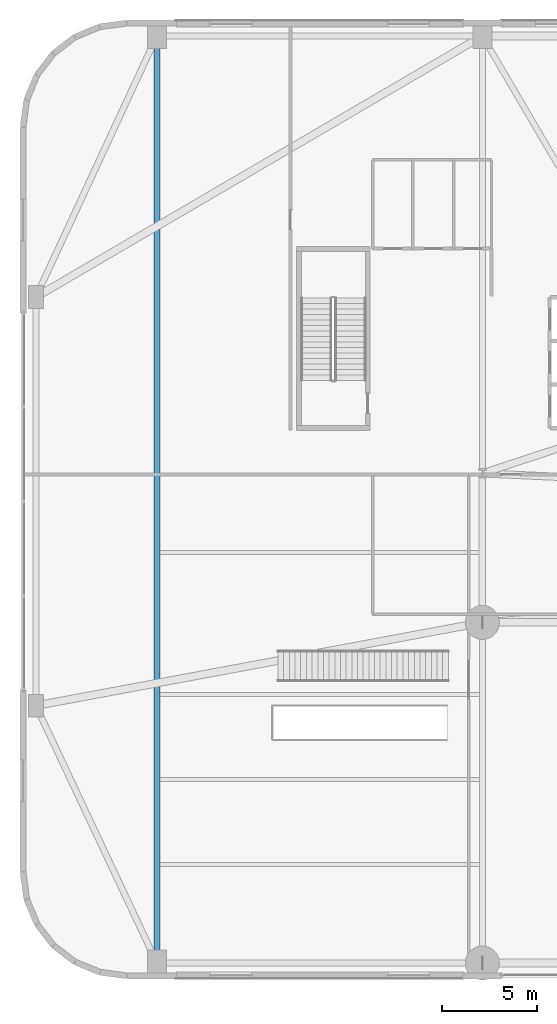
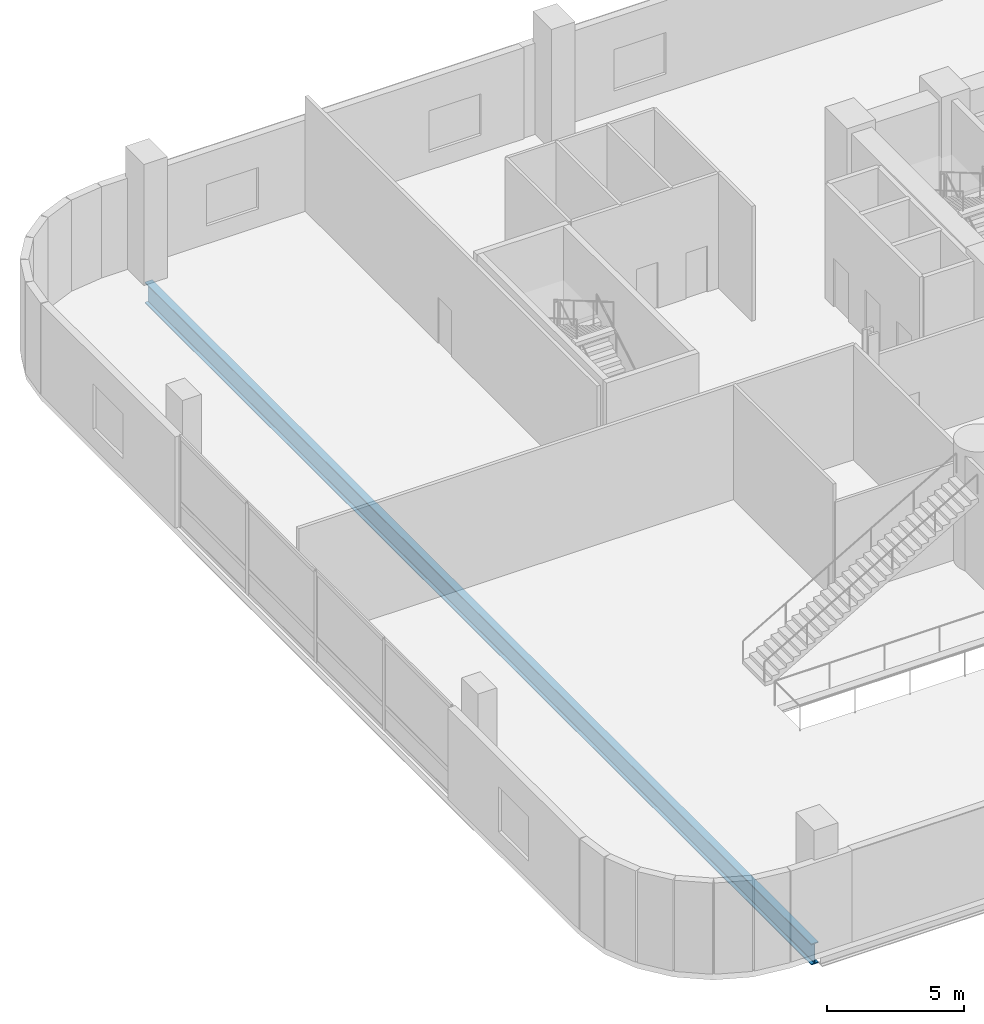
# One storey, part 9 of 40: 1 beam.
"""IFC4 building model written with IfcOpenShell, lengths in metres."""

from ifc_helpers import new_model, si_unit, direction, frame, origin, origin_2d, place, context, subcontext, project, spatial, i_section, extrude, material, material_profile, profile_set, type_object, element, save


model = new_model("IFC4")

# Units and contexts
model_context = context("Model", 3, precision=1e-05, world=origin(), true_north=direction((0.0, 1.0)))
body_context = subcontext(model_context, "Body", "Model", "MODEL_VIEW")
ifc_project = project(units=[si_unit("LENGTHUNIT", "METRE"), si_unit("AREAUNIT", "SQUARE_METRE"), si_unit("VOLUMEUNIT", "CUBIC_METRE"), si_unit("PLANEANGLEUNIT", "RADIAN"), si_unit("MASSUNIT", "GRAM", prefix="KILO")], contexts=[model_context])

# Site, building, storey
site_placement = place(None, origin())
site = spatial("IfcSite", under=ifc_project, at=site_placement, CompositionType="ELEMENT")
building_placement = place(site_placement, origin())
building = spatial("IfcBuilding", under=site, at=building_placement, Name="Varnelok Gate Tower", CompositionType="ELEMENT")
storey_placement = place(building_placement, frame((0.0, 0.0, 5.39990234375)))
storey = spatial("IfcBuildingStorey", under=building, at=storey_placement, Name="L01", CompositionType="ELEMENT", Elevation=5.39990234375)

# Beam
ifc_material = material(Name="Structural Steel ASTM A992 Grade 50", Category="steel")
ifc_material_profile = material_profile(ifc_material, i_section(OverallWidth=0.30810546875, OverallDepth=0.943115234375, WebThickness=0.022216796875, FlangeThickness=0.039794921875, FilletRadius=0.02587890625, at=origin_2d()), Name="W36X232")
ifc_profile_set = profile_set([ifc_material_profile], Name="Structural Steel ASTM A992 Grade 50")
beam_type = type_object("IfcBeamType", Name="BM-PRI-W36X232", PredefinedType="BEAM", material=ifc_profile_set)
beam_placement = place(storey_placement, frame((7.199951171875, 0.93994140625, -0.75146484375), z_axis=(0.0, 1.0, 0.0), x_axis=(-1.0, 0.0, 0.0)))
element("IfcBeam", 1, at=beam_placement, inside=storey, type_object=beam_type, Name="L01 Podium Primary Girder 14", PredefinedType="BEAM", context=body_context, shape_type="SweptSolid", body=[
    extrude(i_section(OverallWidth=0.30810546875, OverallDepth=0.943115234375, WebThickness=0.022216796875, FlangeThickness=0.039794921875, FilletRadius=0.02587890625, at=origin_2d()), origin(), (0.0, 0.0, 1.0), 48.719970703125),
])

save(model, "model.ifc")
